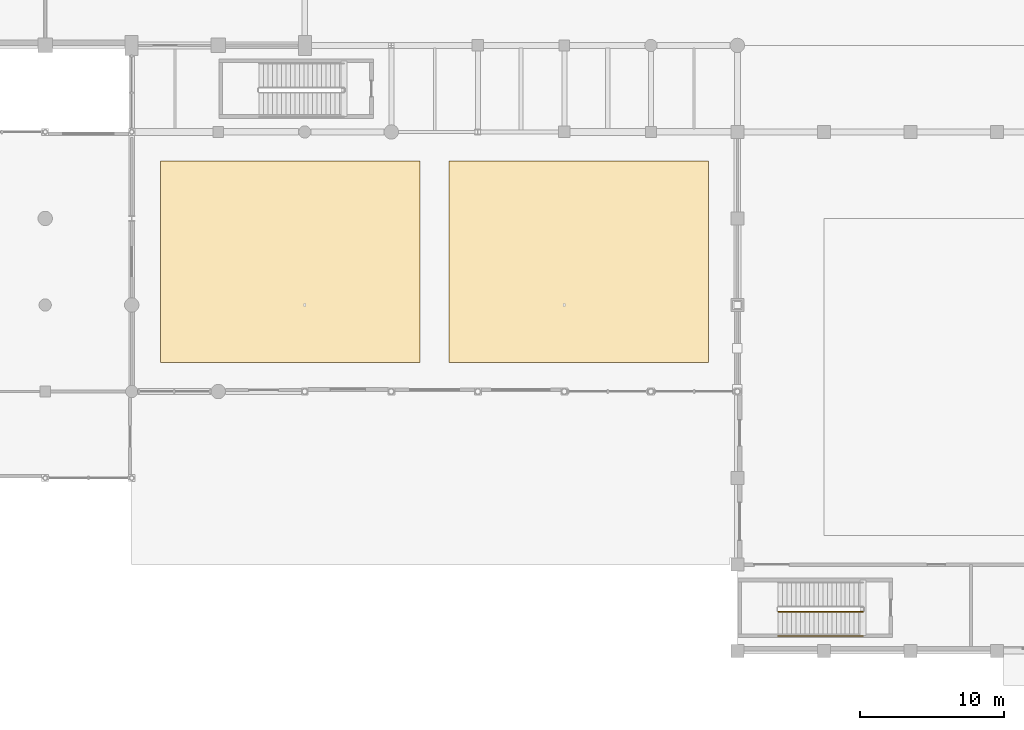
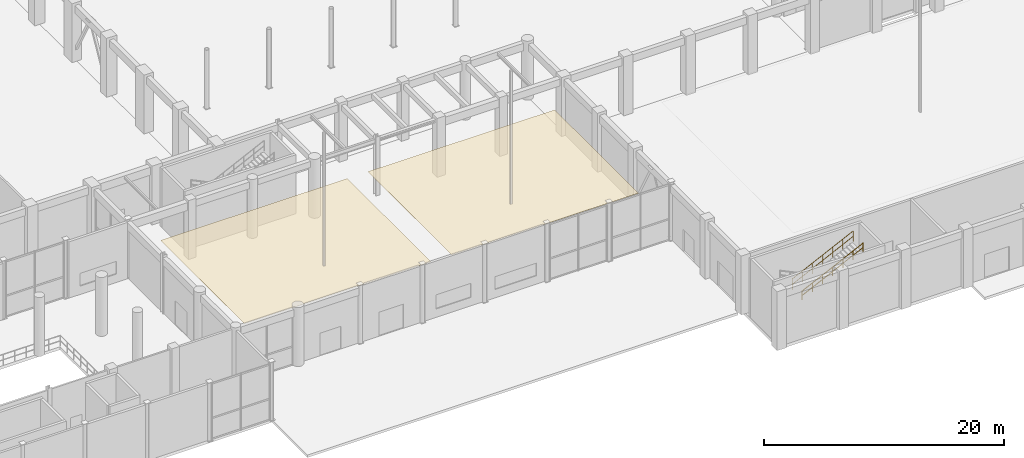
# One storey, part 99 of 106: 2 coverings, 2 railings.
"""IFC4 building model written with IfcOpenShell, lengths in metres."""

from ifc_helpers import new_model, si_unit, direction, frame, origin, origin_2d, place, context, subcontext, project, spatial, polyline, circle, outline, extrude, material, layer, layer_set, type_object, element, save


model = new_model("IFC4")

# Units and contexts
model_context = context("Model", 3, precision=1e-05, world=origin(), true_north=direction((0.0, 1.0)))
body_context = subcontext(model_context, "Body", "Model", "MODEL_VIEW")
ifc_project = project(units=[si_unit("LENGTHUNIT", "METRE"), si_unit("AREAUNIT", "SQUARE_METRE"), si_unit("VOLUMEUNIT", "CUBIC_METRE"), si_unit("PLANEANGLEUNIT", "RADIAN"), si_unit("MASSUNIT", "GRAM", prefix="KILO"), si_unit("THERMODYNAMICTEMPERATUREUNIT", "KELVIN"), si_unit("POWERUNIT", "WATT")], contexts=[model_context])

# Site, building, storey
site_placement = place(None, origin())
site = spatial("IfcSite", under=ifc_project, at=site_placement, CompositionType="ELEMENT")
building_placement = place(site_placement, origin())
building = spatial("IfcBuilding", under=site, at=building_placement, Name="Phaisarnlok Congress Hotel", CompositionType="ELEMENT")
storey_placement = place(building_placement, origin())
storey = spatial("IfcBuildingStorey", under=building, at=storey_placement, Name="L00", CompositionType="ELEMENT", Elevation=0.0)

# Coverings
ifc_material_1 = material(Name="Perforated Timber & Mineral-Fibre Acoustic Ceiling", Category="wood")
ifc_layer = layer(ifc_material_1, 0.01806640625, Name="Perforated Timber & Mineral-Fibre Acoustic Ceiling")
ifc_layer_set = layer_set([ifc_layer], Name="Perforated Timber & Mineral-Fibre Acoustic Ceiling")
covering_type = type_object("IfcCoveringType", Name="CLG-AC-18", PredefinedType="CEILING", material=ifc_layer_set)
covering_1_placement = place(storey_placement, frame((0.0, 0.0, 4.199951171875)))
element("IfcCovering", 1, at=covering_1_placement, inside=storey, type_object=covering_type, Name="Suspended ceiling CLG-01 (L00)", PredefinedType="CEILING", context=body_context, shape_type="SweptSolid", body=[
    extrude(outline(polyline([(74.0, 20.0), (56.0, 20.0), (56.0, 34.0), (74.0, 34.0), (74.0, 20.0)])), origin(), (0.0, 0.0, 1.0), 0.01806640625),
])
covering_2_placement = place(storey_placement, frame((0.0, 0.0, 4.199951171875)))
element("IfcCovering", 2, at=covering_2_placement, inside=storey, type_object=covering_type, Name="Suspended ceiling CLG-01 (L00)", PredefinedType="CEILING", context=body_context, shape_type="SweptSolid", body=[
    extrude(outline(polyline([(94.0, 20.0), (76.0, 20.0), (76.0, 34.0), (94.0, 34.0), (94.0, 20.0)])), origin(), (0.0, 0.0, 1.0), 0.01806640625),
])

# Railings
ifc_material_2 = material(Name="Painted Galvanised Steel S275", Category="steel")
railing_type_1 = type_object("IfcRailingType", Name="RLG-STR-GUARD", PredefinedType="BALUSTRADE", material=ifc_material_2)
railing_1_placement = place(storey_placement, frame((98.830078125, 2.72998046875, 3.14990234375)))
element("IfcRailing", 3, at=railing_1_placement, inside=storey, type_object=railing_type_1, Name="L00 ST-04 stair guard 3", PredefinedType="BALUSTRADE", context=body_context, shape_type="SweptSolid", body=[
    extrude(circle(Radius=0.02392578125, at=origin_2d()), frame((0.0, 0.0, 1.076171875), z_axis=(0.900150285036, 0.0, 0.435579458135), x_axis=(0.0, 1.0, 0.0)), (0.0, 0.0, 1.0), 6.543212890625),
    extrude(circle(Radius=0.02392578125, at=origin_2d()), frame((0.0, 0.0, 0.52587890625), z_axis=(0.900150285036, 0.0, 0.435579458135), x_axis=(0.0, 1.0, 0.0)), (0.0, 0.0, 1.0), 6.543212890625),
    extrude(circle(Radius=0.02099609375, at=origin_2d()), origin(), (0.0, 0.0, 1.0), 1.052001953125),
    extrude(circle(Radius=0.02099609375, at=origin_2d()), frame((0.981689453125, 0.0, 0.47509765625)), (0.0, 0.0, 1.0), 1.052001953125),
    extrude(circle(Radius=0.02099609375, at=origin_2d()), frame((1.96337890625, 0.0, 0.949951171875)), (0.0, 0.0, 1.0), 1.052001953125),
    extrude(circle(Radius=0.02099609375, at=origin_2d()), frame((2.94482421875, 0.0, 1.425048828125)), (0.0, 0.0, 1.0), 1.052001953125),
    extrude(circle(Radius=0.02099609375, at=origin_2d()), frame((3.926513671875, 0.0, 1.900146484375)), (0.0, 0.0, 1.0), 1.052001953125),
    extrude(circle(Radius=0.02099609375, at=origin_2d()), frame((4.908203125, 0.0, 2.375)), (0.0, 0.0, 1.0), 1.052001953125),
    extrude(circle(Radius=0.02099609375, at=origin_2d()), frame((5.889892578125, 0.0, 2.85009765625)), (0.0, 0.0, 1.0), 1.052001953125),
])
ifc_material_3 = material(Name="Brushed Stainless Steel Grade 304", Category="steel")
railing_type_2 = type_object("IfcRailingType", Name="RLG-STR-HRAIL", PredefinedType="HANDRAIL", material=ifc_material_3)
railing_2_placement = place(storey_placement, frame((98.830078125, 1.050048828125, 3.14990234375)))
element("IfcRailing", 4, at=railing_2_placement, inside=storey, type_object=railing_type_2, Name="L00 ST-04 stair handrail 2", PredefinedType="HANDRAIL", context=body_context, shape_type="SweptSolid", body=[
    extrude(circle(Radius=0.02392578125, at=origin_2d()), frame((0.0, 0.0, 0.8759765625), z_axis=(0.900150285036, 0.0, 0.435579458135), x_axis=(0.0, 1.0, 0.0)), (0.0, 0.0, 1.0), 6.543212890625),
    extrude(circle(Radius=0.02392578125, at=origin_2d()), frame((0.0, 0.0, 0.42578125), z_axis=(0.900150285036, 0.0, 0.435579458135), x_axis=(0.0, 1.0, 0.0)), (0.0, 0.0, 1.0), 6.543212890625),
    extrude(circle(Radius=0.02099609375, at=origin_2d()), origin(), (0.0, 0.0, 1.0), 0.851806640625),
    extrude(circle(Radius=0.02099609375, at=origin_2d()), frame((0.981689453125, 0.0, 0.47509765625)), (0.0, 0.0, 1.0), 0.851806640625),
    extrude(circle(Radius=0.02099609375, at=origin_2d()), frame((1.96337890625, 0.0, 0.949951171875)), (0.0, 0.0, 1.0), 0.851806640625),
    extrude(circle(Radius=0.02099609375, at=origin_2d()), frame((2.94482421875, 0.0, 1.425048828125)), (0.0, 0.0, 1.0), 0.851806640625),
    extrude(circle(Radius=0.02099609375, at=origin_2d()), frame((3.926513671875, 0.0, 1.900146484375)), (0.0, 0.0, 1.0), 0.851806640625),
    extrude(circle(Radius=0.02099609375, at=origin_2d()), frame((4.908203125, 0.0, 2.375)), (0.0, 0.0, 1.0), 0.851806640625),
    extrude(circle(Radius=0.02099609375, at=origin_2d()), frame((5.889892578125, 0.0, 2.85009765625)), (0.0, 0.0, 1.0), 0.851806640625),
])

save(model, "model.ifc")
